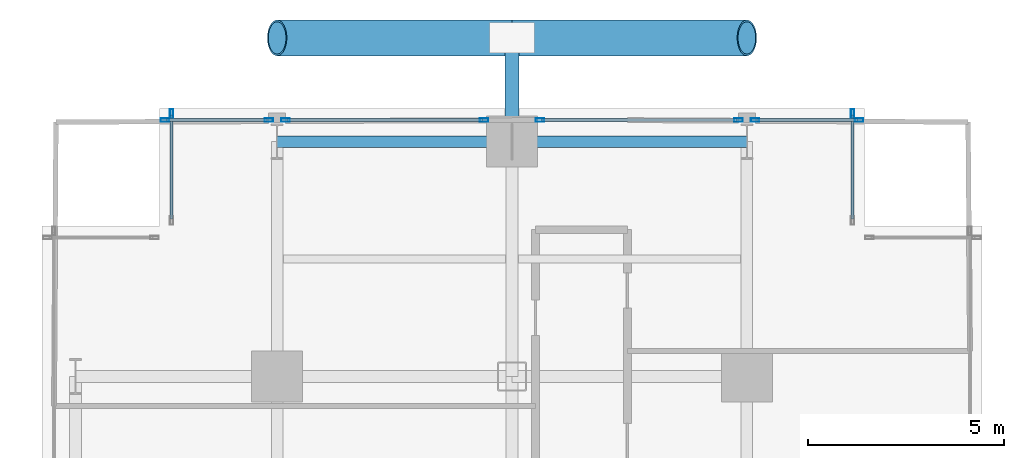
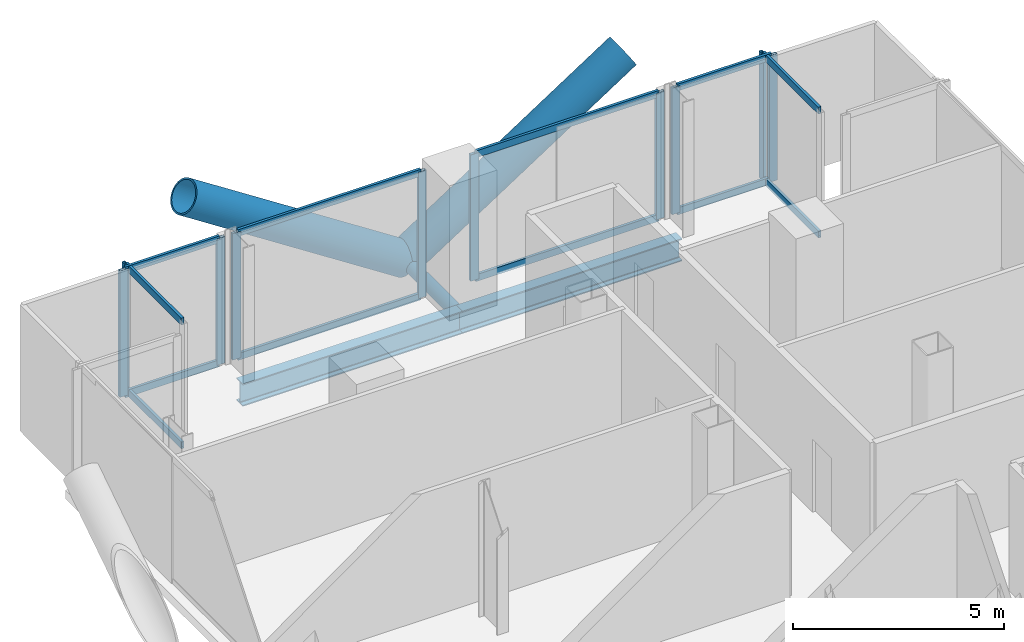
# One storey, part 16 of 25: 25 members, 2 beams, 6 elements without a shape of their own.
"""IFC4 building model written with IfcOpenShell, lengths in metres."""

from ifc_helpers import new_model, si_unit, direction, frame, origin, origin_2d, place, context, subcontext, project, spatial, hollow_rectangle, hollow_circle, i_section, extrude, material, layer, layer_set, material_profile, profile_set, type_object, element, aggregate, save


model = new_model("IFC4")

# Units and contexts
model_context = context("Model", 3, precision=1e-05, world=origin(), true_north=direction((0.0, 1.0)))
body_context = subcontext(model_context, "Body", "Model", "MODEL_VIEW")
ifc_project = project(units=[si_unit("LENGTHUNIT", "METRE"), si_unit("AREAUNIT", "SQUARE_METRE"), si_unit("VOLUMEUNIT", "CUBIC_METRE"), si_unit("PLANEANGLEUNIT", "RADIAN"), si_unit("MASSUNIT", "GRAM", prefix="KILO"), si_unit("THERMODYNAMICTEMPERATUREUNIT", "KELVIN"), si_unit("POWERUNIT", "WATT")], contexts=[model_context])

# Site, building, storey
site_placement = place(None, origin())
site = spatial("IfcSite", under=ifc_project, at=site_placement, CompositionType="ELEMENT")
building_placement = place(site_placement, origin())
building = spatial("IfcBuilding", under=site, at=building_placement, Name="Svarakhadi Broadcast Tower", CompositionType="ELEMENT")
storey_placement = place(building_placement, frame((0.0, 0.0, 51.89990234375)))
storey = spatial("IfcBuildingStorey", under=building, at=storey_placement, Name="L11", CompositionType="ELEMENT", Elevation=51.89990234375)

# Curtain wall, member
ifc_material_1 = material(Name="Anodised Bronze Aluminium AA 6063-T6", Category="aluminium")
ifc_layer = layer(ifc_material_1, 0.219970703125)
ifc_layer_set = layer_set([ifc_layer], Name="Anodised Bronze Aluminium AA 6063-T6")
curtain_wall_type = type_object("IfcCurtainWallType", Name="CW_Sys_02", PredefinedType="NOTDEFINED", material=ifc_layer_set)
curtain_wall_1_placement = place(storey_placement, origin())
curtain_wall_1 = element("IfcCurtainWall", 1, at=curtain_wall_1_placement, inside=storey, type_object=curtain_wall_type, Name="L11 Unitised Facade Curtain Wall 05", PredefinedType="NOTDEFINED")
ifc_material_profile_1 = material_profile(ifc_material_1, hollow_rectangle(XDim=0.0849609375, YDim=0.219970703125, WallThickness=0.006103515625, at=origin_2d()), Name="ALU MULLION 220x85x6")
ifc_profile_set_1 = profile_set([ifc_material_profile_1], Name="Anodised Bronze Aluminium AA 6063-T6")
member_type_1 = type_object("IfcMemberType", Name="CW_Sys_02_Mul", PredefinedType="MULLION", material=ifc_profile_set_1)
member_1_placement = place(storey_placement, frame((3.300048828125, 47.867431640625, 0.0), z_axis=(0.0, 0.0, 1.0), x_axis=(-1.0, 0.0, 0.0)))
member_1 = element("IfcMember", 2, at=member_1_placement, type_object=member_type_1, Name="CW-02 mullion 2", PredefinedType="MULLION", context=body_context, shape_type="SweptSolid", body=[
    extrude(hollow_rectangle(XDim=0.0849609375, YDim=0.219970703125, WallThickness=0.006103515625, at=origin_2d()), origin(), (0.0, 0.0, 1.0), 3.650146484375),
])

# Curtain wall, members
curtain_wall_2_placement = place(storey_placement, origin())
curtain_wall_2 = element("IfcCurtainWall", 3, at=curtain_wall_2_placement, inside=storey, type_object=curtain_wall_type, Name="L11 Unitised Facade Curtain Wall 06 Bay 1", PredefinedType="NOTDEFINED")
member_2_placement = place(storey_placement, frame((3.132568359375, 47.699951171875, 0.0), z_axis=(0.0, 0.0, 1.0), x_axis=(0.0, 1.0, 0.0)))
member_2 = element("IfcMember", 4, at=member_2_placement, type_object=member_type_1, Name="CW-02 mullion 1", PredefinedType="MULLION", context=body_context, shape_type="SweptSolid", body=[
    extrude(hollow_rectangle(XDim=0.0849609375, YDim=0.219970703125, WallThickness=0.006103515625, at=origin_2d()), origin(), (0.0, 0.0, 1.0), 3.650146484375),
])
member_3_placement = place(storey_placement, frame((5.78759765625, 47.699951171875, 0.0), z_axis=(0.0, 0.0, 1.0), x_axis=(0.0, 1.0, 0.0)))
member_3 = element("IfcMember", 5, at=member_3_placement, type_object=member_type_1, Name="CW-02 mullion 2", PredefinedType="MULLION", context=body_context, shape_type="SweptSolid", body=[
    extrude(hollow_rectangle(XDim=0.0849609375, YDim=0.219970703125, WallThickness=0.006103515625, at=origin_2d()), origin(), (0.0, 0.0, 1.0), 3.650146484375),
])

curtain_wall_3_placement = place(storey_placement, origin())
curtain_wall_3 = element("IfcCurtainWall", 6, at=curtain_wall_3_placement, inside=storey, type_object=curtain_wall_type, Name="L11 Unitised Facade Curtain Wall 06 Bay 2", PredefinedType="NOTDEFINED")
member_4_placement = place(storey_placement, frame((6.21240234375, 47.699951171875, 0.0), z_axis=(0.0, 0.0, 1.0), x_axis=(0.0, 1.0, 0.0)))
member_4 = element("IfcMember", 7, at=member_4_placement, type_object=member_type_1, Name="CW-02 mullion 1", PredefinedType="MULLION", context=body_context, shape_type="SweptSolid", body=[
    extrude(hollow_rectangle(XDim=0.0849609375, YDim=0.219970703125, WallThickness=0.006103515625, at=origin_2d()), origin(), (0.0, 0.0, 1.0), 3.650146484375),
])
member_5_placement = place(storey_placement, frame((11.28759765625, 47.699951171875, 0.0), z_axis=(0.0, 0.0, 1.0), x_axis=(0.0, 1.0, 0.0)))
member_5 = element("IfcMember", 8, at=member_5_placement, type_object=member_type_1, Name="CW-02 mullion 2", PredefinedType="MULLION", context=body_context, shape_type="SweptSolid", body=[
    extrude(hollow_rectangle(XDim=0.0849609375, YDim=0.219970703125, WallThickness=0.006103515625, at=origin_2d()), origin(), (0.0, 0.0, 1.0), 3.650146484375),
])

curtain_wall_4_placement = place(storey_placement, origin())
curtain_wall_4 = element("IfcCurtainWall", 9, at=curtain_wall_4_placement, inside=storey, type_object=curtain_wall_type, Name="L11 Unitised Facade Curtain Wall 06 Bay 3", PredefinedType="NOTDEFINED")
member_6_placement = place(storey_placement, frame((12.71240234375, 47.699951171875, 0.0), z_axis=(0.0, 0.0, 1.0), x_axis=(0.0, 1.0, 0.0)))
member_6 = element("IfcMember", 10, at=member_6_placement, type_object=member_type_1, Name="CW-02 mullion 1", PredefinedType="MULLION", context=body_context, shape_type="SweptSolid", body=[
    extrude(hollow_rectangle(XDim=0.0849609375, YDim=0.219970703125, WallThickness=0.006103515625, at=origin_2d()), origin(), (0.0, 0.0, 1.0), 3.650146484375),
])
member_7_placement = place(storey_placement, frame((17.78759765625, 47.699951171875, 0.0), z_axis=(0.0, 0.0, 1.0), x_axis=(0.0, 1.0, 0.0)))
member_7 = element("IfcMember", 11, at=member_7_placement, type_object=member_type_1, Name="CW-02 mullion 2", PredefinedType="MULLION", context=body_context, shape_type="SweptSolid", body=[
    extrude(hollow_rectangle(XDim=0.0849609375, YDim=0.219970703125, WallThickness=0.006103515625, at=origin_2d()), origin(), (0.0, 0.0, 1.0), 3.650146484375),
])

curtain_wall_5_placement = place(storey_placement, origin())
curtain_wall_5 = element("IfcCurtainWall", 12, at=curtain_wall_5_placement, inside=storey, type_object=curtain_wall_type, Name="L11 Unitised Facade Curtain Wall 06 Bay 4", PredefinedType="NOTDEFINED")
member_8_placement = place(storey_placement, frame((18.21240234375, 47.699951171875, 0.0), z_axis=(0.0, 0.0, 1.0), x_axis=(0.0, 1.0, 0.0)))
member_8 = element("IfcMember", 13, at=member_8_placement, type_object=member_type_1, Name="CW-02 mullion 1", PredefinedType="MULLION", context=body_context, shape_type="SweptSolid", body=[
    extrude(hollow_rectangle(XDim=0.0849609375, YDim=0.219970703125, WallThickness=0.006103515625, at=origin_2d()), origin(), (0.0, 0.0, 1.0), 3.650146484375),
])
member_9_placement = place(storey_placement, frame((20.867431640625, 47.699951171875, 0.0), z_axis=(0.0, 0.0, 1.0), x_axis=(0.0, 1.0, 0.0)))
member_9 = element("IfcMember", 14, at=member_9_placement, type_object=member_type_1, Name="CW-02 mullion 2", PredefinedType="MULLION", context=body_context, shape_type="SweptSolid", body=[
    extrude(hollow_rectangle(XDim=0.0849609375, YDim=0.219970703125, WallThickness=0.006103515625, at=origin_2d()), origin(), (0.0, 0.0, 1.0), 3.650146484375),
])

# Curtain wall, member
curtain_wall_6_placement = place(storey_placement, origin())
curtain_wall_6 = element("IfcCurtainWall", 15, at=curtain_wall_6_placement, inside=storey, type_object=curtain_wall_type, Name="L11 Unitised Facade Curtain Wall 07", PredefinedType="NOTDEFINED")
member_10_placement = place(storey_placement, frame((20.699951171875, 47.867431640625, 0.0), z_axis=(0.0, 0.0, 1.0), x_axis=(1.0, 0.0, 0.0)))
member_10 = element("IfcMember", 16, at=member_10_placement, type_object=member_type_1, Name="CW-02 mullion 1", PredefinedType="MULLION", context=body_context, shape_type="SweptSolid", body=[
    extrude(hollow_rectangle(XDim=0.0849609375, YDim=0.219970703125, WallThickness=0.006103515625, at=origin_2d()), origin(), (0.0, 0.0, 1.0), 3.650146484375),
])

# Member
ifc_material_profile_2 = material_profile(ifc_material_1, hollow_rectangle(XDim=0.074951171875, YDim=0.199951171875, WallThickness=0.0048828125, at=origin_2d()), Name="ALU TRANSOM 200x75x5")
ifc_profile_set_2 = profile_set([ifc_material_profile_2], Name="Anodised Bronze Aluminium AA 6063-T6")
member_type_2 = type_object("IfcMemberType", Name="CW_Sys_02_Trn", PredefinedType="USERDEFINED", material=ifc_profile_set_2)
member_11_placement = place(storey_placement, frame((3.300048828125, 45.175048828125, 0.03759765625), z_axis=(0.0, 1.0, 0.0), x_axis=(-1.0, 0.0, 0.0)))
member_11 = element("IfcMember", 17, at=member_11_placement, type_object=member_type_2, Name="CW-02 transom 1.1", ObjectType="TRANSOM", PredefinedType="USERDEFINED", context=body_context, shape_type="SweptSolid", body=[
    extrude(hollow_rectangle(XDim=0.074951171875, YDim=0.199951171875, WallThickness=0.0048828125, at=origin_2d()), origin(), (0.0, 0.0, 1.0), 2.64990234375),
])

member_12_placement = place(storey_placement, frame((3.300048828125, 45.175048828125, 3.612548828125), z_axis=(0.0, 1.0, 0.0), x_axis=(-1.0, 0.0, 0.0)))
member_12 = element("IfcMember", 18, at=member_12_placement, type_object=member_type_2, Name="CW-02 transom 1.2", ObjectType="TRANSOM", PredefinedType="USERDEFINED", context=body_context, shape_type="SweptSolid", body=[
    extrude(hollow_rectangle(XDim=0.074951171875, YDim=0.199951171875, WallThickness=0.0048828125, at=origin_2d()), origin(), (0.0, 0.0, 1.0), 2.64990234375),
])

aggregate(curtain_wall_1, [member_1, member_11, member_12])

member_13_placement = place(storey_placement, frame((3.175048828125, 47.699951171875, 0.03759765625), z_axis=(1.0, 0.0, 0.0), x_axis=(0.0, 1.0, 0.0)))
member_13 = element("IfcMember", 19, at=member_13_placement, type_object=member_type_2, Name="CW-02 transom 1.1", ObjectType="TRANSOM", PredefinedType="USERDEFINED", context=body_context, shape_type="SweptSolid", body=[
    extrude(hollow_rectangle(XDim=0.074951171875, YDim=0.199951171875, WallThickness=0.0048828125, at=origin_2d()), origin(), (0.0, 0.0, 1.0), 2.570068359375),
])

member_14_placement = place(storey_placement, frame((3.175048828125, 47.699951171875, 3.612548828125), z_axis=(1.0, 0.0, 0.0), x_axis=(0.0, 1.0, 0.0)))
member_14 = element("IfcMember", 20, at=member_14_placement, type_object=member_type_2, Name="CW-02 transom 1.2", ObjectType="TRANSOM", PredefinedType="USERDEFINED", context=body_context, shape_type="SweptSolid", body=[
    extrude(hollow_rectangle(XDim=0.074951171875, YDim=0.199951171875, WallThickness=0.0048828125, at=origin_2d()), origin(), (0.0, 0.0, 1.0), 2.570068359375),
])

aggregate(curtain_wall_2, [member_2, member_3, member_13, member_14])

member_15_placement = place(storey_placement, frame((6.2548828125, 47.699951171875, 0.03759765625), z_axis=(1.0, 0.0, 0.0), x_axis=(0.0, 1.0, 0.0)))
member_15 = element("IfcMember", 21, at=member_15_placement, type_object=member_type_2, Name="CW-02 transom 1.1", ObjectType="TRANSOM", PredefinedType="USERDEFINED", context=body_context, shape_type="SweptSolid", body=[
    extrude(hollow_rectangle(XDim=0.074951171875, YDim=0.199951171875, WallThickness=0.0048828125, at=origin_2d()), origin(), (0.0, 0.0, 1.0), 4.990234375),
])

member_16_placement = place(storey_placement, frame((6.2548828125, 47.699951171875, 3.612548828125), z_axis=(1.0, 0.0, 0.0), x_axis=(0.0, 1.0, 0.0)))
member_16 = element("IfcMember", 22, at=member_16_placement, type_object=member_type_2, Name="CW-02 transom 1.2", ObjectType="TRANSOM", PredefinedType="USERDEFINED", context=body_context, shape_type="SweptSolid", body=[
    extrude(hollow_rectangle(XDim=0.074951171875, YDim=0.199951171875, WallThickness=0.0048828125, at=origin_2d()), origin(), (0.0, 0.0, 1.0), 4.990234375),
])

aggregate(curtain_wall_3, [member_4, member_5, member_15, member_16])

member_17_placement = place(storey_placement, frame((12.7548828125, 47.699951171875, 0.03759765625), z_axis=(1.0, 0.0, 0.0), x_axis=(0.0, 1.0, 0.0)))
member_17 = element("IfcMember", 23, at=member_17_placement, type_object=member_type_2, Name="CW-02 transom 1.1", ObjectType="TRANSOM", PredefinedType="USERDEFINED", context=body_context, shape_type="SweptSolid", body=[
    extrude(hollow_rectangle(XDim=0.074951171875, YDim=0.199951171875, WallThickness=0.0048828125, at=origin_2d()), origin(), (0.0, 0.0, 1.0), 4.990234375),
])

member_18_placement = place(storey_placement, frame((12.7548828125, 47.699951171875, 3.612548828125), z_axis=(1.0, 0.0, 0.0), x_axis=(0.0, 1.0, 0.0)))
member_18 = element("IfcMember", 24, at=member_18_placement, type_object=member_type_2, Name="CW-02 transom 1.2", ObjectType="TRANSOM", PredefinedType="USERDEFINED", context=body_context, shape_type="SweptSolid", body=[
    extrude(hollow_rectangle(XDim=0.074951171875, YDim=0.199951171875, WallThickness=0.0048828125, at=origin_2d()), origin(), (0.0, 0.0, 1.0), 4.990234375),
])

aggregate(curtain_wall_4, [member_6, member_7, member_17, member_18])

member_19_placement = place(storey_placement, frame((18.2548828125, 47.699951171875, 0.03759765625), z_axis=(1.0, 0.0, 0.0), x_axis=(0.0, 1.0, 0.0)))
member_19 = element("IfcMember", 25, at=member_19_placement, type_object=member_type_2, Name="CW-02 transom 1.1", ObjectType="TRANSOM", PredefinedType="USERDEFINED", context=body_context, shape_type="SweptSolid", body=[
    extrude(hollow_rectangle(XDim=0.074951171875, YDim=0.199951171875, WallThickness=0.0048828125, at=origin_2d()), origin(), (0.0, 0.0, 1.0), 2.570068359375),
])

member_20_placement = place(storey_placement, frame((18.2548828125, 47.699951171875, 3.612548828125), z_axis=(1.0, 0.0, 0.0), x_axis=(0.0, 1.0, 0.0)))
member_20 = element("IfcMember", 26, at=member_20_placement, type_object=member_type_2, Name="CW-02 transom 1.2", ObjectType="TRANSOM", PredefinedType="USERDEFINED", context=body_context, shape_type="SweptSolid", body=[
    extrude(hollow_rectangle(XDim=0.074951171875, YDim=0.199951171875, WallThickness=0.0048828125, at=origin_2d()), origin(), (0.0, 0.0, 1.0), 2.570068359375),
])

aggregate(curtain_wall_5, [member_8, member_9, member_19, member_20])

member_21_placement = place(storey_placement, frame((20.699951171875, 47.824951171875, 0.03759765625), z_axis=(0.0, -1.0, 0.0), x_axis=(1.0, 0.0, 0.0)))
member_21 = element("IfcMember", 27, at=member_21_placement, type_object=member_type_2, Name="CW-02 transom 1.1", ObjectType="TRANSOM", PredefinedType="USERDEFINED", context=body_context, shape_type="SweptSolid", body=[
    extrude(hollow_rectangle(XDim=0.074951171875, YDim=0.199951171875, WallThickness=0.0048828125, at=origin_2d()), origin(), (0.0, 0.0, 1.0), 2.64990234375),
])

member_22_placement = place(storey_placement, frame((20.699951171875, 47.824951171875, 3.612548828125), z_axis=(0.0, -1.0, 0.0), x_axis=(1.0, 0.0, 0.0)))
member_22 = element("IfcMember", 28, at=member_22_placement, type_object=member_type_2, Name="CW-02 transom 1.2", ObjectType="TRANSOM", PredefinedType="USERDEFINED", context=body_context, shape_type="SweptSolid", body=[
    extrude(hollow_rectangle(XDim=0.074951171875, YDim=0.199951171875, WallThickness=0.0048828125, at=origin_2d()), origin(), (0.0, 0.0, 1.0), 2.64990234375),
])

aggregate(curtain_wall_6, [member_10, member_21, member_22])

# Members
ifc_material_2 = material(Name="Steel S460ML (IS 2062 E450BR)", Category="steel")
ifc_material_profile_3 = material_profile(ifc_material_2, hollow_circle(Radius=0.45703125, WallThickness=0.044921875, at=origin_2d()), Name="CHS 914x45")
ifc_profile_set_3 = profile_set([ifc_material_profile_3], Name="Steel S460ML (IS 2062 E450BR)")
member_type_3 = type_object("IfcMemberType", Name="Exo_Brace_CHS914", PredefinedType="BRACE", material=ifc_profile_set_3)
for number, where, z_axis, x_axis, name in (
    (29, (12.0, 49.800048828125, -0.427734375), (-0.838434262763, 0.0, 0.545002740383), (0.0, -1.0, 0.0), "L11 Exposed Bronze Exoskeleton Diagonal N10"),
    (30, (12.0, 49.800048828125, -0.427734375), (0.838434262763, 0.0, 0.545002740383), (0.0, 1.0, 0.0), "L11 Exposed Bronze Exoskeleton Diagonal N11"),
):
    element("IfcMember", number, at=place(storey_placement, frame(where, z_axis=z_axis, x_axis=x_axis)), inside=storey, type_object=member_type_3, Name=name, PredefinedType="BRACE", context=body_context, shape_type="SweptSolid", body=[
        extrude(hollow_circle(Radius=0.45703125, WallThickness=0.044921875, at=origin_2d()), origin(), (0.0, 0.0, 1.0), 7.15625),
    ])
ifc_material_profile_4 = material_profile(ifc_material_2, hollow_circle(Radius=0.177734375, WallThickness=0.02001953125, at=origin_2d()), Name="CHS 355.6x20")
ifc_profile_set_4 = profile_set([ifc_material_profile_4], Name="Steel S460ML (IS 2062 E450BR)")
member_type_4 = type_object("IfcMemberType", Name="Exo_Radial_Strut_Z1", PredefinedType="STRUT", material=ifc_profile_set_4)
member_23_placement = place(storey_placement, frame((12.0, 49.800048828125, -0.427734375), z_axis=(0.0, -1.0, 0.0), x_axis=(1.0, 0.0, 0.0)))
element("IfcMember", 31, at=member_23_placement, inside=storey, type_object=member_type_4, Name="L11 Exoskeleton Radial Tie Strut N07", PredefinedType="STRUT", context=body_context, shape_type="SweptSolid", body=[
    extrude(hollow_circle(Radius=0.177734375, WallThickness=0.02001953125, at=origin_2d()), origin(), (0.0, 0.0, 1.0), 2.650146484375),
])

# Beams
ifc_material_3 = material(Name="Steel S355J2 (IS 2062 E350C)", Category="steel")
ifc_material_profile_5 = material_profile(ifc_material_3, i_section(OverallWidth=0.300048828125, OverallDepth=0.64990234375, WebThickness=0.01611328125, FlangeThickness=0.031005859375, FilletRadius=0.027099609375, at=origin_2d()), Name="WPB 650x300x225")
ifc_profile_set_5 = profile_set([ifc_material_profile_5], Name="Steel S355J2 (IS 2062 E350C)")
beam_type = type_object("IfcBeamType", Name="Girder_WPB650", PredefinedType="USERDEFINED", material=ifc_profile_set_5)
for number, where, z_axis, x_axis, name in (
    (32, (6.0, 47.14990234375, -0.574951171875), (1.0, 0.0, 0.0), (0.0, 1.0, 0.0), "L11 Primary E-W Girder G043"),
    (33, (12.0, 47.14990234375, -0.574951171875), (1.0, 0.0, 0.0), (0.0, 1.0, 0.0), "L11 Primary E-W Girder G044"),
):
    element("IfcBeam", number, at=place(storey_placement, frame(where, z_axis=z_axis, x_axis=x_axis)), inside=storey, type_object=beam_type, Name=name, ObjectType="GIRDER", PredefinedType="USERDEFINED", context=body_context, shape_type="SweptSolid", body=[
        extrude(i_section(OverallWidth=0.300048828125, OverallDepth=0.64990234375, WebThickness=0.01611328125, FlangeThickness=0.031005859375, FilletRadius=0.027099609375, at=origin_2d()), origin(), (0.0, 0.0, 1.0), 6.0),
    ])

save(model, "model.ifc")
